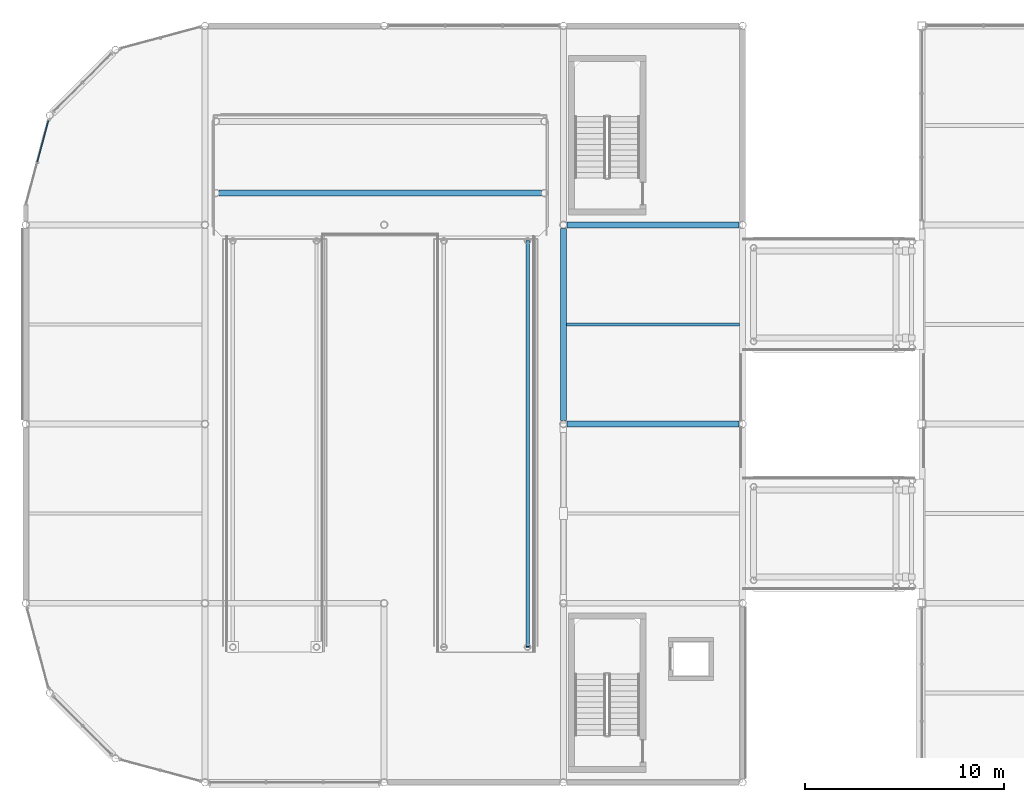
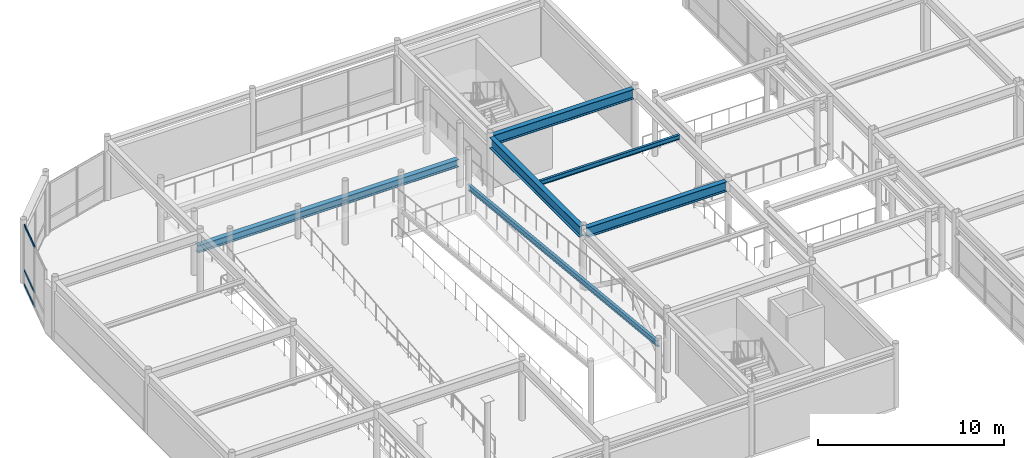
# One storey, part 39 of 108: 6 beams, 3 members, 1 element without a shape of its own.
"""IFC4 building model written with IfcOpenShell, lengths in metres."""

from ifc_helpers import new_model, si_unit, direction, frame, origin, origin_2d, place, context, subcontext, project, spatial, rectangle, i_section, extrude, material, material_profile, profile_set, type_object, element, aggregate, save


model = new_model("IFC4")

# Units and contexts
model_context = context("Model", 3, precision=1e-05, world=origin(), true_north=direction((0.0, 1.0)))
body_context = subcontext(model_context, "Body", "Model", "MODEL_VIEW")
ifc_project = project(units=[si_unit("LENGTHUNIT", "METRE"), si_unit("AREAUNIT", "SQUARE_METRE"), si_unit("VOLUMEUNIT", "CUBIC_METRE"), si_unit("PLANEANGLEUNIT", "RADIAN"), si_unit("MASSUNIT", "GRAM", prefix="KILO")], contexts=[model_context])

# Site, building, storey
site_placement = place(None, origin())
site = spatial("IfcSite", under=ifc_project, at=site_placement, CompositionType="ELEMENT")
building_placement = place(site_placement, origin())
building = spatial("IfcBuilding", under=site, at=building_placement, Name="Suzunagisa Mobility Hub", CompositionType="ELEMENT")
storey_placement = place(building_placement, frame((0.0, 0.0, 9.300048828125)))
storey = spatial("IfcBuildingStorey", under=building, at=storey_placement, Name="L02", CompositionType="ELEMENT", Elevation=9.300048828125)

# Curtain wall, members
ifc_material_1 = material(Name="Thermally Broken Anodized Aluminum and Low-E Glazing", Category="aluminium")
curtain_wall_type = type_object("IfcCurtainWallType", Name="Unitised Curtain Wall CW-42 4500x4000", PredefinedType="USERDEFINED", material=ifc_material_1)
curtain_wall_placement = place(storey_placement, origin())
curtain_wall = element("IfcCurtainWall", 1, at=curtain_wall_placement, inside=storey, type_object=curtain_wall_type, Name="L02 Unitised Curtain Wall CW-70", ObjectType="UNITISED CURTAIN WALL", PredefinedType="USERDEFINED")
ifc_material_2 = material(Name="Anodized Aluminum 6063-T6", Category="aluminium")
ifc_material_profile_1 = material_profile(ifc_material_2, rectangle(XDim=0.06005859375, YDim=0.1201171875, at=origin_2d()), Name="TRAN-60x120")
ifc_profile_set_1 = profile_set([ifc_material_profile_1], Name="Anodized Aluminum 6063-T6")
member_type = type_object("IfcMemberType", Name="Curtain Wall Framing CM-02 TRAN-60x120", PredefinedType="USERDEFINED", material=ifc_profile_set_1)
member_1_placement = place(storey_placement, frame((1.134521484375, 113.233642578125, 0.030029296875), z_axis=(-0.258943797706, -0.965892390295, 0.0), x_axis=(0.965892390295, -0.258943797706, 0.0)))
member_1 = element("IfcMember", 2, at=member_1_placement, type_object=member_type, Name="Curtain Wall Transom 70-T1.1", ObjectType="TRANSOM", PredefinedType="USERDEFINED", context=body_context, shape_type="SweptSolid", body=[
    extrude(rectangle(XDim=0.06005859375, YDim=0.1201171875, at=origin_2d()), origin(), (0.0, 0.0, 1.0), 2.134521484375),
])
member_2_placement = place(storey_placement, frame((1.134521484375, 113.233642578125, 0.949951171875), z_axis=(-0.258943797706, -0.965892390295, 0.0), x_axis=(0.965892390295, -0.258943797706, 0.0)))
member_2 = element("IfcMember", 3, at=member_2_placement, type_object=member_type, Name="Curtain Wall Transom 70-T1.2", ObjectType="TRANSOM", PredefinedType="USERDEFINED", context=body_context, shape_type="SweptSolid", body=[
    extrude(rectangle(XDim=0.06005859375, YDim=0.1201171875, at=origin_2d()), origin(), (0.0, 0.0, 1.0), 2.134521484375),
])
member_3_placement = place(storey_placement, frame((1.134521484375, 113.233642578125, 3.919921875), z_axis=(-0.258943797706, -0.965892390295, 0.0), x_axis=(0.965892390295, -0.258943797706, 0.0)))
member_3 = element("IfcMember", 4, at=member_3_placement, type_object=member_type, Name="Curtain Wall Transom 70-T1.3", ObjectType="TRANSOM", PredefinedType="USERDEFINED", context=body_context, shape_type="SweptSolid", body=[
    extrude(rectangle(XDim=0.06005859375, YDim=0.1201171875, at=origin_2d()), origin(), (0.0, 0.0, 1.0), 2.134521484375),
])
aggregate(curtain_wall, [member_1, member_2, member_3])

# Beams
ifc_material_3 = material(Name="Steel SN400B", Category="steel")
ifc_material_profile_2 = material_profile(ifc_material_3, i_section(OverallWidth=0.175048828125, OverallDepth=0.35009765625, WebThickness=0.007080078125, FlangeThickness=0.010986328125, FilletRadius=0.008056640625, at=origin_2d()), Name="H-350x175x7x11")
ifc_profile_set_2 = profile_set([ifc_material_profile_2], Name="Steel SN400B")
beam_type_1 = type_object("IfcBeamType", Name="Steel Beam BM-03 H-350x175x7x11", PredefinedType="JOIST", material=ifc_profile_set_2)
beam_1_placement = place(storey_placement, frame((25.199951171875, 107.199951171875, 1.69091796875), z_axis=(0.0, -0.994990866518, 0.099965871902), x_axis=(1.0, 0.0, 0.0)))
element("IfcBeam", 5, at=beam_1_placement, inside=storey, type_object=beam_type_1, Name="L02 Vehicle Ramp Stringer Beam VR-05-F2-2324", PredefinedType="JOIST", context=body_context, shape_type="SweptSolid", body=[
    extrude(i_section(OverallWidth=0.175048828125, OverallDepth=0.35009765625, WebThickness=0.007080078125, FlangeThickness=0.010986328125, FilletRadius=0.008056640625, at=origin_2d()), origin(), (0.0, 0.0, 1.0), 20.502685546875),
])
ifc_material_4 = material(Name="Steel SN490B", Category="steel")
ifc_material_profile_3 = material_profile(ifc_material_4, i_section(OverallWidth=0.300048828125, OverallDepth=0.488037109375, WebThickness=0.010986328125, FlangeThickness=0.01806640625, FilletRadius=0.012939453125, at=origin_2d()), Name="H-488x300x11x18")
ifc_profile_set_3 = profile_set([ifc_material_profile_3], Name="Steel SN490B")
beam_type_2 = type_object("IfcBeamType", Name="Steel Beam BM-06 H-488x300x11x18", PredefinedType="BEAM", material=ifc_profile_set_3)
beam_2_placement = place(storey_placement, frame((9.7099609375, 109.60009765625, 1.60595703125), z_axis=(1.0, 0.0, 0.0), x_axis=(0.0, 1.0, 0.0)))
element("IfcBeam", 6, at=beam_2_placement, inside=storey, type_object=beam_type_2, Name="L02 Ramp Turn Deck Support Girder 2325", PredefinedType="BEAM", context=body_context, shape_type="SweptSolid", body=[
    extrude(i_section(OverallWidth=0.300048828125, OverallDepth=0.488037109375, WebThickness=0.010986328125, FlangeThickness=0.01806640625, FilletRadius=0.012939453125, at=origin_2d()), origin(), (0.0, 0.0, 1.0), 16.179931640625),
])
ifc_material_profile_4 = material_profile(ifc_material_4, i_section(OverallWidth=0.300048828125, OverallDepth=0.64990234375, WebThickness=0.012939453125, FlangeThickness=0.02197265625, FilletRadius=0.01611328125, at=origin_2d()), Name="H-650x300x13x22")
ifc_profile_set_4 = profile_set([ifc_material_profile_4], Name="Steel SN490B")
beam_type_3 = type_object("IfcBeamType", Name="Steel Beam BM-10 H-650x300x13x22", PredefinedType="BEAM", material=ifc_profile_set_4)
for number, where, z_axis, x_axis, name in (
    (7, (27.173828125, 98.0, 3.625), (1.0, 0.0, 0.0), (0.0, 1.0, 0.0), "L02 Primary Girder GX-527"),
    (8, (27.173828125, 108.0, 3.625), (1.0, 0.0, 0.0), (0.0, 1.0, 0.0), "L02 Primary Girder GX-529"),
):
    element("IfcBeam", number, at=place(storey_placement, frame(where, z_axis=z_axis, x_axis=x_axis)), inside=storey, type_object=beam_type_3, Name=name, PredefinedType="BEAM", context=body_context, shape_type="SweptSolid", body=[
        extrude(i_section(OverallWidth=0.300048828125, OverallDepth=0.64990234375, WebThickness=0.012939453125, FlangeThickness=0.02197265625, FilletRadius=0.01611328125, at=origin_2d()), origin(), (0.0, 0.0, 1.0), 8.65234375),
    ])
ifc_material_profile_5 = material_profile(ifc_material_4, i_section(OverallWidth=0.300048828125, OverallDepth=0.699951171875, WebThickness=0.012939453125, FlangeThickness=0.02392578125, FilletRadius=0.01806640625, at=origin_2d()), Name="H-700x300x13x24")
ifc_profile_set_5 = profile_set([ifc_material_profile_5], Name="Steel SN490B")
beam_type_4 = type_object("IfcBeamType", Name="Steel Beam BM-11 H-700x300x13x24", PredefinedType="BEAM", material=ifc_profile_set_5)
beam_3_placement = place(storey_placement, frame((27.0, 98.173828125, 3.599853515625), z_axis=(0.0, 1.0, 0.0), x_axis=(-1.0, 0.0, 0.0)))
element("IfcBeam", 9, at=beam_3_placement, inside=storey, type_object=beam_type_4, Name="L02 Primary Girder GY-542", PredefinedType="BEAM", context=body_context, shape_type="SweptSolid", body=[
    extrude(i_section(OverallWidth=0.300048828125, OverallDepth=0.699951171875, WebThickness=0.012939453125, FlangeThickness=0.02392578125, FilletRadius=0.01806640625, at=origin_2d()), origin(), (0.0, 0.0, 1.0), 9.65234375),
])
ifc_material_profile_6 = material_profile(ifc_material_3, i_section(OverallWidth=0.14990234375, OverallDepth=0.300048828125, WebThickness=0.006591796875, FlangeThickness=0.009033203125, FilletRadius=0.008056640625, at=origin_2d()), Name="H-300x150x6.5x9")
ifc_profile_set_6 = profile_set([ifc_material_profile_6], Name="Steel SN400B")
beam_type_5 = type_object("IfcBeamType", Name="Steel Beam BM-24 H-300x150x6.5x9", PredefinedType="JOIST", material=ifc_profile_set_6)
beam_4_placement = place(storey_placement, frame((27.14990234375, 103.0, 3.7900390625), z_axis=(1.0, 0.0, 0.0), x_axis=(0.0, 1.0, 0.0)))
element("IfcBeam", 10, at=beam_4_placement, inside=storey, type_object=beam_type_5, Name="L02 Composite Floor Joist J-553", PredefinedType="JOIST", context=body_context, shape_type="SweptSolid", body=[
    extrude(i_section(OverallWidth=0.14990234375, OverallDepth=0.300048828125, WebThickness=0.006591796875, FlangeThickness=0.009033203125, FilletRadius=0.008056640625, at=origin_2d()), origin(), (0.0, 0.0, 1.0), 8.7001953125),
])

save(model, "model.ifc")
